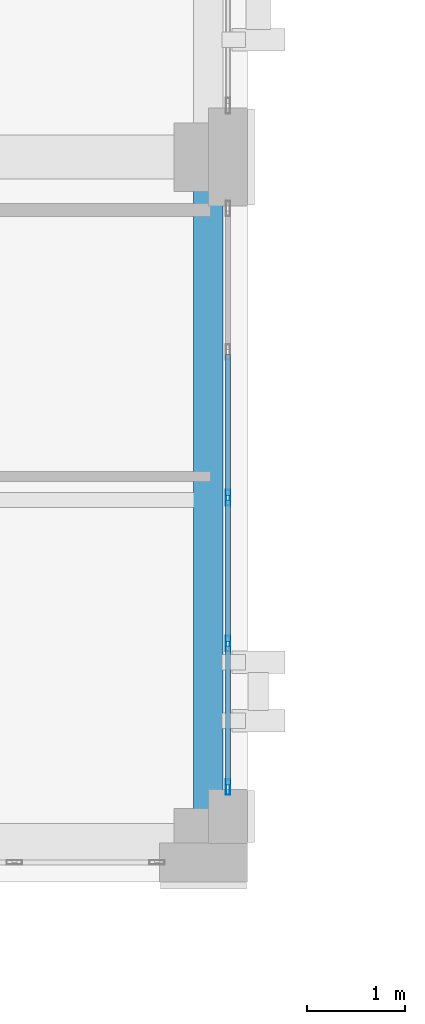
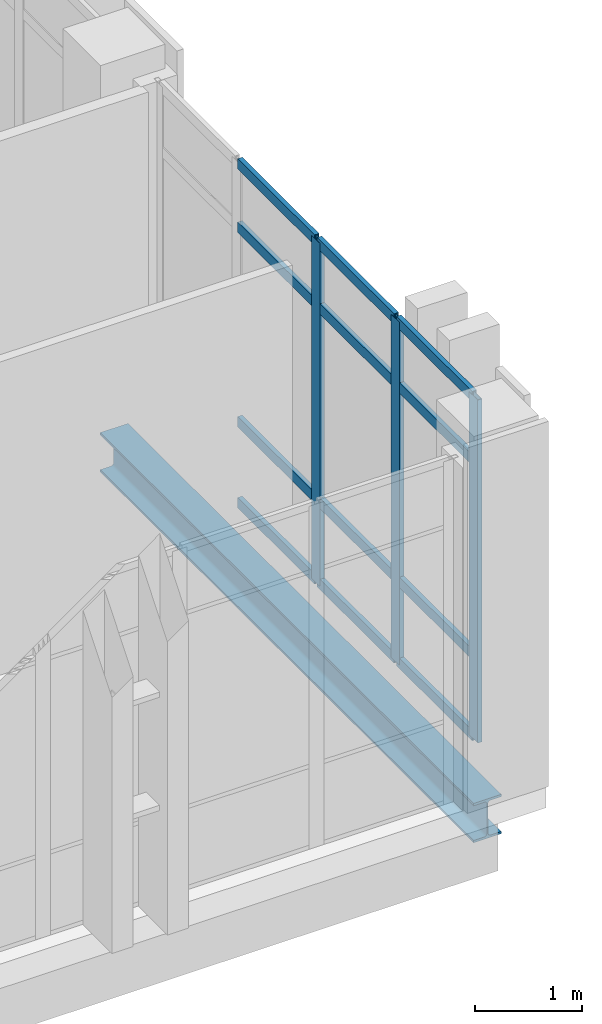
# One storey, part 101 of 158: 15 members, 1 beam, 1 element without a shape of its own.
"""IFC4 building model written with IfcOpenShell, lengths in metres."""

from ifc_helpers import new_model, si_unit, direction, frame, origin, origin_2d, place, context, subcontext, project, spatial, hollow_rectangle, i_section, extrude, material, layer, layer_set, material_profile, profile_set, type_object, element, aggregate, save


model = new_model("IFC4")

# Units and contexts
model_context = context("Model", 3, precision=1e-05, world=origin(), true_north=direction((0.0, 1.0)))
body_context = subcontext(model_context, "Body", "Model", "MODEL_VIEW")
ifc_project = project(units=[si_unit("LENGTHUNIT", "METRE"), si_unit("AREAUNIT", "SQUARE_METRE"), si_unit("VOLUMEUNIT", "CUBIC_METRE"), si_unit("PLANEANGLEUNIT", "RADIAN"), si_unit("MASSUNIT", "GRAM", prefix="KILO")], contexts=[model_context])

# Site, building, storey
site_placement = place(None, origin())
site = spatial("IfcSite", under=ifc_project, at=site_placement, CompositionType="ELEMENT")
building_placement = place(site_placement, origin())
building = spatial("IfcBuilding", under=site, at=building_placement, Name="Qalavern Law Courts", CompositionType="ELEMENT")
storey_placement = place(building_placement, frame((0.0, 0.0, 18.60009765625)))
storey = spatial("IfcBuildingStorey", under=building, at=storey_placement, Name="L04", CompositionType="ELEMENT", Elevation=18.60009765625)

# Curtain wall, members
ifc_material_1 = material(Name="Anodised aluminium and insulated glazing", Category="aluminium")
ifc_layer = layer(ifc_material_1, 0.166015625)
ifc_layer_set = layer_set([ifc_layer], Name="Anodised aluminium and insulated glazing")
curtain_wall_type = type_object("IfcCurtainWallType", Name="ENV-CW-LIB", PredefinedType="USERDEFINED", material=ifc_layer_set)
curtain_wall_placement = place(storey_placement, origin())
curtain_wall = element("IfcCurtainWall", 1, at=curtain_wall_placement, inside=storey, type_object=curtain_wall_type, Name="V5 unitised curtain wall L04 east 1", ObjectType="UNITISED CURTAIN WALL", PredefinedType="USERDEFINED")
ifc_material_2 = material(Name="Anodised aluminium", Category="aluminium")
ifc_material_profile_1 = material_profile(ifc_material_2, hollow_rectangle(XDim=0.048095703125, YDim=0.159912109375, WallThickness=0.00390625, at=origin_2d()), Name="ALU MULLION 48x160")
ifc_profile_set_1 = profile_set([ifc_material_profile_1], Name="Anodised aluminium")
member_type_1 = type_object("IfcMemberType", Name="ENV-CWM-48x160", PredefinedType="MULLION", material=ifc_profile_set_1)
member_1_placement = place(storey_placement, frame((66.60009765625, 97.1689453125, 0.0), z_axis=(0.0, 0.0, 1.0), x_axis=(-1.0, 0.0, 0.0)))
member_1 = element("IfcMember", 2, at=member_1_placement, type_object=member_type_1, Name="CW-05 mullion 1", PredefinedType="MULLION", context=body_context, shape_type="SweptSolid", body=[
    extrude(hollow_rectangle(XDim=0.048095703125, YDim=0.159912109375, WallThickness=0.00390625, at=origin_2d()), origin(), (0.0, 0.0, 1.0), 3.9248046875),
])
member_2_placement = place(storey_placement, frame((66.60009765625, 98.6337890625, 0.0), z_axis=(0.0, 0.0, 1.0), x_axis=(-1.0, 0.0, 0.0)))
member_2 = element("IfcMember", 3, at=member_2_placement, type_object=member_type_1, Name="CW-05 mullion 2", PredefinedType="MULLION", context=body_context, shape_type="SweptSolid", body=[
    extrude(hollow_rectangle(XDim=0.048095703125, YDim=0.159912109375, WallThickness=0.00390625, at=origin_2d()), origin(), (0.0, 0.0, 1.0), 3.9248046875),
])
member_3_placement = place(storey_placement, frame((66.60009765625, 100.12255859375, 0.0), z_axis=(0.0, 0.0, 1.0), x_axis=(-1.0, 0.0, 0.0)))
member_3 = element("IfcMember", 4, at=member_3_placement, type_object=member_type_1, Name="CW-05 mullion 3", PredefinedType="MULLION", context=body_context, shape_type="SweptSolid", body=[
    extrude(hollow_rectangle(XDim=0.048095703125, YDim=0.159912109375, WallThickness=0.00390625, at=origin_2d()), origin(), (0.0, 0.0, 1.0), 3.9248046875),
])
ifc_material_profile_2 = material_profile(ifc_material_2, hollow_rectangle(XDim=0.048095703125, YDim=0.1201171875, WallThickness=0.00390625, at=origin_2d()), Name="ALU TRANSOM 48x120")
ifc_profile_set_2 = profile_set([ifc_material_profile_2], Name="Anodised aluminium")
member_type_2 = type_object("IfcMemberType", Name="ENV-CWT-48x120", PredefinedType="USERDEFINED", material=ifc_profile_set_2)
member_4_placement = place(storey_placement, frame((66.60009765625, 97.193115234375, 0.02392578125), z_axis=(0.0, 1.0, 0.0), x_axis=(-1.0, 0.0, 0.0)))
member_4 = element("IfcMember", 5, at=member_4_placement, type_object=member_type_2, Name="CW-05 transom 1.1", ObjectType="TRANSOM", PredefinedType="USERDEFINED", context=body_context, shape_type="SweptSolid", body=[
    extrude(hollow_rectangle(XDim=0.048095703125, YDim=0.1201171875, WallThickness=0.00390625, at=origin_2d()), origin(), (0.0, 0.0, 1.0), 1.416748046875),
])
member_5_placement = place(storey_placement, frame((66.60009765625, 97.193115234375, 0.949951171875), z_axis=(0.0, 1.0, 0.0), x_axis=(-1.0, 0.0, 0.0)))
member_5 = element("IfcMember", 6, at=member_5_placement, type_object=member_type_2, Name="CW-05 transom 1.2", ObjectType="TRANSOM", PredefinedType="USERDEFINED", context=body_context, shape_type="SweptSolid", body=[
    extrude(hollow_rectangle(XDim=0.048095703125, YDim=0.1201171875, WallThickness=0.00390625, at=origin_2d()), origin(), (0.0, 0.0, 1.0), 1.416748046875),
])
member_6_placement = place(storey_placement, frame((66.60009765625, 97.193115234375, 3.1748046875), z_axis=(0.0, 1.0, 0.0), x_axis=(-1.0, 0.0, 0.0)))
member_6 = element("IfcMember", 7, at=member_6_placement, type_object=member_type_2, Name="CW-05 transom 1.3", ObjectType="TRANSOM", PredefinedType="USERDEFINED", context=body_context, shape_type="SweptSolid", body=[
    extrude(hollow_rectangle(XDim=0.048095703125, YDim=0.1201171875, WallThickness=0.00390625, at=origin_2d()), origin(), (0.0, 0.0, 1.0), 1.416748046875),
])
member_7_placement = place(storey_placement, frame((66.60009765625, 97.193115234375, 3.90087890625), z_axis=(0.0, 1.0, 0.0), x_axis=(-1.0, 0.0, 0.0)))
member_7 = element("IfcMember", 8, at=member_7_placement, type_object=member_type_2, Name="CW-05 transom 1.4", ObjectType="TRANSOM", PredefinedType="USERDEFINED", context=body_context, shape_type="SweptSolid", body=[
    extrude(hollow_rectangle(XDim=0.048095703125, YDim=0.1201171875, WallThickness=0.00390625, at=origin_2d()), origin(), (0.0, 0.0, 1.0), 1.416748046875),
])
member_8_placement = place(storey_placement, frame((66.60009765625, 98.65771484375, 0.02392578125), z_axis=(0.0, 1.0, 0.0), x_axis=(-1.0, 0.0, 0.0)))
member_8 = element("IfcMember", 9, at=member_8_placement, type_object=member_type_2, Name="CW-05 transom 2.1", ObjectType="TRANSOM", PredefinedType="USERDEFINED", context=body_context, shape_type="SweptSolid", body=[
    extrude(hollow_rectangle(XDim=0.048095703125, YDim=0.1201171875, WallThickness=0.00390625, at=origin_2d()), origin(), (0.0, 0.0, 1.0), 1.440673828125),
])
member_9_placement = place(storey_placement, frame((66.60009765625, 98.65771484375, 0.949951171875), z_axis=(0.0, 1.0, 0.0), x_axis=(-1.0, 0.0, 0.0)))
member_9 = element("IfcMember", 10, at=member_9_placement, type_object=member_type_2, Name="CW-05 transom 2.2", ObjectType="TRANSOM", PredefinedType="USERDEFINED", context=body_context, shape_type="SweptSolid", body=[
    extrude(hollow_rectangle(XDim=0.048095703125, YDim=0.1201171875, WallThickness=0.00390625, at=origin_2d()), origin(), (0.0, 0.0, 1.0), 1.440673828125),
])
member_10_placement = place(storey_placement, frame((66.60009765625, 98.65771484375, 3.1748046875), z_axis=(0.0, 1.0, 0.0), x_axis=(-1.0, 0.0, 0.0)))
member_10 = element("IfcMember", 11, at=member_10_placement, type_object=member_type_2, Name="CW-05 transom 2.3", ObjectType="TRANSOM", PredefinedType="USERDEFINED", context=body_context, shape_type="SweptSolid", body=[
    extrude(hollow_rectangle(XDim=0.048095703125, YDim=0.1201171875, WallThickness=0.00390625, at=origin_2d()), origin(), (0.0, 0.0, 1.0), 1.440673828125),
])
member_11_placement = place(storey_placement, frame((66.60009765625, 98.65771484375, 3.90087890625), z_axis=(0.0, 1.0, 0.0), x_axis=(-1.0, 0.0, 0.0)))
member_11 = element("IfcMember", 12, at=member_11_placement, type_object=member_type_2, Name="CW-05 transom 2.4", ObjectType="TRANSOM", PredefinedType="USERDEFINED", context=body_context, shape_type="SweptSolid", body=[
    extrude(hollow_rectangle(XDim=0.048095703125, YDim=0.1201171875, WallThickness=0.00390625, at=origin_2d()), origin(), (0.0, 0.0, 1.0), 1.440673828125),
])
member_12_placement = place(storey_placement, frame((66.60009765625, 100.146484375, 0.02392578125), z_axis=(0.0, 1.0, 0.0), x_axis=(-1.0, 0.0, 0.0)))
member_12 = element("IfcMember", 13, at=member_12_placement, type_object=member_type_2, Name="CW-05 transom 3.1", ObjectType="TRANSOM", PredefinedType="USERDEFINED", context=body_context, shape_type="SweptSolid", body=[
    extrude(hollow_rectangle(XDim=0.048095703125, YDim=0.1201171875, WallThickness=0.00390625, at=origin_2d()), origin(), (0.0, 0.0, 1.0), 1.440673828125),
])
member_13_placement = place(storey_placement, frame((66.60009765625, 100.146484375, 0.949951171875), z_axis=(0.0, 1.0, 0.0), x_axis=(-1.0, 0.0, 0.0)))
member_13 = element("IfcMember", 14, at=member_13_placement, type_object=member_type_2, Name="CW-05 transom 3.2", ObjectType="TRANSOM", PredefinedType="USERDEFINED", context=body_context, shape_type="SweptSolid", body=[
    extrude(hollow_rectangle(XDim=0.048095703125, YDim=0.1201171875, WallThickness=0.00390625, at=origin_2d()), origin(), (0.0, 0.0, 1.0), 1.440673828125),
])
member_14_placement = place(storey_placement, frame((66.60009765625, 100.146484375, 3.1748046875), z_axis=(0.0, 1.0, 0.0), x_axis=(-1.0, 0.0, 0.0)))
member_14 = element("IfcMember", 15, at=member_14_placement, type_object=member_type_2, Name="CW-05 transom 3.3", ObjectType="TRANSOM", PredefinedType="USERDEFINED", context=body_context, shape_type="SweptSolid", body=[
    extrude(hollow_rectangle(XDim=0.048095703125, YDim=0.1201171875, WallThickness=0.00390625, at=origin_2d()), origin(), (0.0, 0.0, 1.0), 1.440673828125),
])
member_15_placement = place(storey_placement, frame((66.60009765625, 100.146484375, 3.90087890625), z_axis=(0.0, 1.0, 0.0), x_axis=(-1.0, 0.0, 0.0)))
member_15 = element("IfcMember", 16, at=member_15_placement, type_object=member_type_2, Name="CW-05 transom 3.4", ObjectType="TRANSOM", PredefinedType="USERDEFINED", context=body_context, shape_type="SweptSolid", body=[
    extrude(hollow_rectangle(XDim=0.048095703125, YDim=0.1201171875, WallThickness=0.00390625, at=origin_2d()), origin(), (0.0, 0.0, 1.0), 1.440673828125),
])
aggregate(curtain_wall, [member_1, member_2, member_3, member_4, member_5, member_6, member_7, member_8, member_9, member_10, member_11, member_12, member_13, member_14, member_15])

# Beam
ifc_material_3 = material(Name="Steel S355", Category="steel")
ifc_material_profile_3 = material_profile(ifc_material_3, i_section(OverallWidth=0.300048828125, OverallDepth=0.449951171875, WebThickness=0.013916015625, FlangeThickness=0.02587890625, FilletRadius=0.027099609375, at=origin_2d()), Name="HEB 450")
ifc_profile_set_3 = profile_set([ifc_material_profile_3], Name="Steel S355")
beam_type = type_object("IfcBeamType", Name="STR-SP-HEB450", PredefinedType="SPANDREL", material=ifc_profile_set_3)
beam_placement = place(storey_placement, frame((66.39990234375, 96.60009765625, -0.505126953125), z_axis=(0.0, 1.0, 0.0), x_axis=(-1.0, 0.0, 0.0)))
element("IfcBeam", 17, at=beam_placement, inside=storey, type_object=beam_type, Name="V5 Y-beam 9-1 L04", PredefinedType="SPANDREL", context=body_context, shape_type="SweptSolid", body=[
    extrude(i_section(OverallWidth=0.300048828125, OverallDepth=0.449951171875, WebThickness=0.013916015625, FlangeThickness=0.02587890625, FilletRadius=0.027099609375, at=origin_2d()), origin(), (0.0, 0.0, 1.0), 7.0),
])

save(model, "model.ifc")
